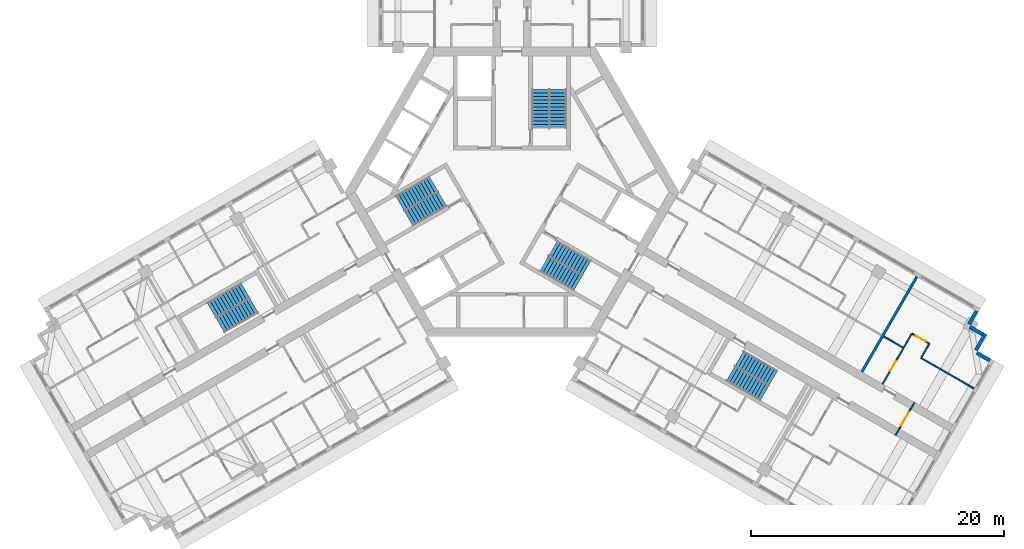
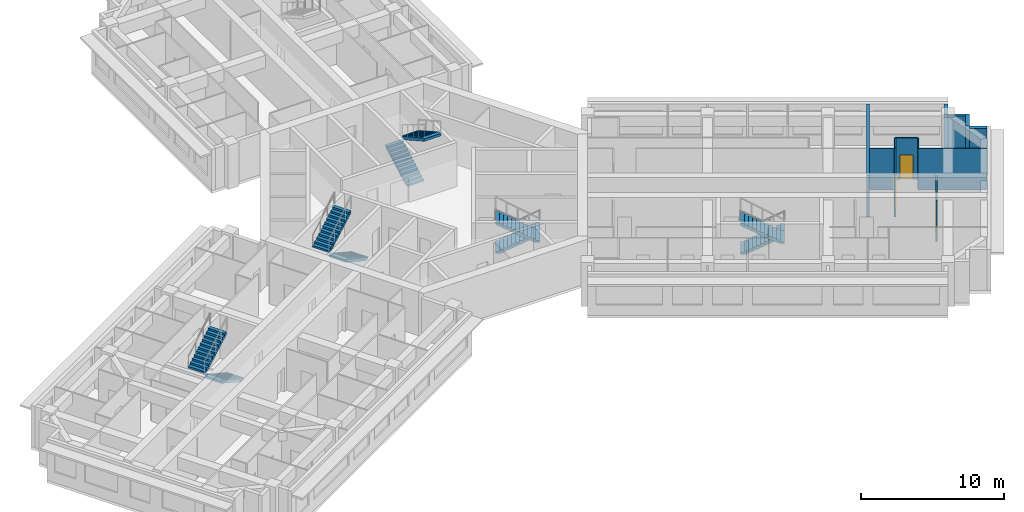
# One storey, part 10 of 12: 12 walls, 10 stair flights, 3 doors, 3 openings, 5 elements without a shape of their own.
"""IFC4 building model written with IfcOpenShell, lengths in metres."""

from ifc_helpers import new_model, si_unit, direction, frame, frame_2d, origin, place, context, subcontext, project, spatial, polyline, rectangle, outline, extrude, material, layer, layer_set, type_object, element, fill, aggregate, save


model = new_model("IFC4")

# Units and contexts
model_context = context("Model", 3, precision=1e-05, world=origin(), true_north=direction((0.0, 1.0)))
body_context = subcontext(model_context, "Body", "Model", "MODEL_VIEW")
ifc_project = project(units=[si_unit("LENGTHUNIT", "METRE"), si_unit("AREAUNIT", "SQUARE_METRE"), si_unit("VOLUMEUNIT", "CUBIC_METRE"), si_unit("PLANEANGLEUNIT", "RADIAN"), si_unit("MASSUNIT", "GRAM", prefix="KILO")], contexts=[model_context])

# Site, building, storey
site_placement = place(None, origin())
site = spatial("IfcSite", under=ifc_project, at=site_placement, CompositionType="ELEMENT")
building_placement = place(site_placement, origin())
building = spatial("IfcBuilding", under=site, at=building_placement, Name="Impinga Residences", CompositionType="ELEMENT")
storey_placement = place(building_placement, frame((0.0, 0.0, 214.75)))
storey = spatial("IfcBuildingStorey", under=building, at=storey_placement, Name="L53", CompositionType="ELEMENT", Elevation=214.75)

# Wall, opening, door
ifc_material_1 = material(Name="Concrete blockwork", Category="masonry")
ifc_layer_1 = layer(ifc_material_1, 0.10009765625)
ifc_layer_set_1 = layer_set([ifc_layer_1], Name="CP1 core room partition, blockwork 100")
wall_type_1 = type_object("IfcWallType", Name="CP1 core room partition, blockwork 100", PredefinedType="PARTITIONING", material=ifc_layer_set_1)
wall_1_placement = place(storey_placement, frame((31.781005859375, -16.61669921875, 0.0), z_axis=(0.0, 0.0, 1.0), x_axis=(-0.499990139034, -0.866031096941, 0.0)))
wall_1 = element("IfcWall", 1, at=wall_1_placement, inside=storey, type_object=wall_type_1, Name="Core room partition, blockwork L53:E:LNG", PredefinedType="PARTITIONING", context=body_context, shape_type="SweptSolid", body=[
    extrude(rectangle(XDim=3.0, YDim=0.10009765625, at=frame_2d((1.5, 0.0))), origin(), (0.0, 0.0, 1.0), 3.530029296875),
])
opening_1_placement = place(wall_1_placement, frame((0.89990234375, 0.0, 0.0)))
opening_1 = element("IfcOpeningElement", 2, at=opening_1_placement, cuts=wall_1, Name="Opening D3", PredefinedType="OPENING", context=body_context, shape_type="SweptSolid", body=[
    extrude(rectangle(XDim=1.199951171875, YDim=2.10009765625, at=frame_2d((0.60009765625, 1.050048828125))), frame((0.0, 0.06005859375, 0.0), z_axis=(0.0, -1.0, 0.0), x_axis=(1.0, 0.0, 0.0)), (0.0, 0.0, 1.0), 0.1201171875),
])
ifc_material_2 = material(Name="Timber door set", Category="wood")
door_type_1 = type_object("IfcDoorType", Name="D3 room door, leaf and a half 1200x2100", OperationType="DOUBLE_SWING_LEFT", PredefinedType="DOOR", material=ifc_material_2)
door_1_placement = place(opening_1_placement, origin())
door_1 = element("IfcDoor", 3, at=door_1_placement, inside=storey, type_object=door_type_1, Name="Residents' lounge door E", OperationType="DOUBLE_SWING_LEFT", OverallHeight=2.10009765625, OverallWidth=1.199951171875, PredefinedType="DOOR", context=body_context, shape_type="SweptSolid", body=[
    extrude(rectangle(XDim=1.199951171875, YDim=2.10009765625, at=frame_2d((0.60009765625, 1.050048828125))), frame((0.0, 0.02490234375, 0.0), z_axis=(0.0, -1.0, 0.0), x_axis=(1.0, 0.0, 0.0)), (0.0, 0.0, 1.0), 0.050048828125),
])
fill(opening_1, door_1)

# Walls
ifc_material_3 = material(Name="Terracotta rainscreen on blockwork", Category="masonry")
ifc_layer_2 = layer(ifc_material_3, 0.300048828125)
ifc_layer_set_2 = layer_set([ifc_layer_2], Name="EW1 external wall, terracotta rainscreen on blockwork 300")
wall_type_2 = type_object("IfcWallType", Name="EW1 external wall, terracotta rainscreen on blockwork 300", PredefinedType="SOLIDWALL", material=ifc_layer_set_2)
wall_2_placement = place(storey_placement, frame((36.69384765625, -9.4072265625, 0.0), z_axis=(0.0, 0.0, 1.0), x_axis=(-0.499880961361, -0.866094119867, 0.0)))
element("IfcWall", 4, at=wall_2_placement, inside=storey, type_object=wall_type_2, Name="External wall EW1 L53", PredefinedType="SOLIDWALL", context=body_context, shape_type="SweptSolid", body=[
    extrude(rectangle(XDim=1.199951171875, YDim=0.300048828125, at=frame_2d((0.60009765625, 0.0))), origin(), (0.0, 0.0, 1.0), 3.530029296875),
])
wall_3_placement = place(storey_placement, frame((36.153076171875, -10.654052734375, 0.0), z_axis=(0.0, 0.0, 1.0), x_axis=(0.866059708757, -0.499940577336, 0.0)))
element("IfcWall", 5, at=wall_3_placement, inside=storey, type_object=wall_type_2, Name="External wall EW1 L53", PredefinedType="SOLIDWALL", context=body_context, shape_type="SweptSolid", body=[
    extrude(rectangle(XDim=1.195068359375, YDim=0.300048828125, at=frame_2d((0.59765625, 0.0))), origin(), (0.0, 0.0, 1.0), 3.530029296875),
])
wall_4_placement = place(storey_placement, frame((37.39306640625, -11.196533203125, 0.0), z_axis=(0.0, 0.0, 1.0), x_axis=(-0.499990139034, -0.866031096941, 0.0)))
element("IfcWall", 6, at=wall_4_placement, inside=storey, type_object=wall_type_2, Name="External wall EW1 L53", PredefinedType="SOLIDWALL", context=body_context, shape_type="SweptSolid", body=[
    extrude(rectangle(XDim=1.5, YDim=0.300048828125, at=frame_2d((0.75, 0.0))), origin(), (0.0, 0.0, 1.0), 3.530029296875),
])
wall_5_placement = place(storey_placement, frame((36.7021484375, -12.702880859375, 0.0), z_axis=(0.0, 0.0, 1.0), x_axis=(0.865971243484, -0.500093796661, 0.0)))
element("IfcWall", 7, at=wall_5_placement, inside=storey, type_object=wall_type_2, Name="External wall EW1 L53", PredefinedType="SOLIDWALL", context=body_context, shape_type="SweptSolid", body=[
    extrude(rectangle(XDim=1.195068359375, YDim=0.300048828125, at=frame_2d((0.59765625, 0.0))), origin(), (0.0, 0.0, 1.0), 3.530029296875),
])
ifc_material_4 = material(Name="Gypsum board on steel studs", Category="steel")
ifc_layer_3 = layer(ifc_material_4, 0.10009765625)
ifc_layer_set_3 = layer_set([ifc_layer_3], Name="Gypsum board on steel studs")
wall_type_3 = type_object("IfcWallType", Name="IP1 partition 100", PredefinedType="PARTITIONING", material=ifc_layer_set_3)
wall_6_placement = place(storey_placement, frame((29.360595703125, -11.408935546875, 0.0), z_axis=(0.0, 0.0, 1.0), x_axis=(0.866047807691, -0.499961193289, 0.0)))
element("IfcWall", 8, at=wall_6_placement, inside=storey, type_object=wall_type_3, Name="Partition L53-EA2:DIV0", PredefinedType="PARTITIONING", context=body_context, shape_type="SweptSolid", body=[
    extrude(rectangle(XDim=1.800048828125, YDim=0.10009765625, at=frame_2d((0.89990234375, 0.0))), origin(), (0.0, 0.0, 1.0), 3.530029296875),
])
wall_7_placement = place(storey_placement, frame((32.30517578125, -13.10888671875, 0.0), z_axis=(0.0, 0.0, 1.0), x_axis=(0.866037363387, -0.499979284789, 0.0)))
element("IfcWall", 9, at=wall_7_placement, inside=storey, type_object=wall_type_3, Name="Partition L53-EA2:DIV1", PredefinedType="PARTITIONING", context=body_context, shape_type="SweptSolid", body=[
    extrude(rectangle(XDim=4.800048828125, YDim=0.10009765625, at=frame_2d((2.39990234375, 0.0))), origin(), (0.0, 0.0, 1.0), 3.530029296875),
])

# Wall, opening, door
wall_8_placement = place(storey_placement, frame((31.569580078125, -11.18310546875, 0.0), z_axis=(0.0, 0.0, 1.0), x_axis=(0.866055983265, -0.499947031044, 0.0)))
wall_8 = element("IfcWall", 10, at=wall_8_placement, inside=storey, type_object=wall_type_3, Name="Partition L53-EA2:STRIP", PredefinedType="PARTITIONING", context=body_context, shape_type="SweptSolid", body=[
    extrude(rectangle(XDim=1.599853515625, YDim=0.10009765625, at=frame_2d((0.7998046875, 0.0))), origin(), (0.0, 0.0, 1.0), 3.530029296875),
])
opening_2_placement = place(wall_8_placement, frame((0.35009765625, 0.0, 0.0)))
opening_2 = element("IfcOpeningElement", 11, at=opening_2_placement, cuts=wall_8, Name="Opening D2", PredefinedType="OPENING", context=body_context, shape_type="SweptSolid", body=[
    extrude(rectangle(XDim=0.89990234375, YDim=2.10009765625, at=frame_2d((0.449951171875, 1.050048828125))), frame((0.0, 0.06005859375, 0.0), z_axis=(0.0, -1.0, 0.0), x_axis=(1.0, 0.0, 0.0)), (0.0, 0.0, 1.0), 0.1201171875),
])
door_type_2 = type_object("IfcDoorType", Name="D2 internal door 900x2100", OperationType="SINGLE_SWING_LEFT", PredefinedType="DOOR", material=ifc_material_2)
door_2_placement = place(opening_2_placement, origin())
door_2 = element("IfcDoor", 12, at=door_2_placement, inside=storey, type_object=door_type_2, Name="Apartment L53-EA2 room door", OperationType="SINGLE_SWING_LEFT", OverallHeight=2.10009765625, OverallWidth=0.89990234375, PredefinedType="DOOR", context=body_context, shape_type="SweptSolid", body=[
    extrude(rectangle(XDim=0.89990234375, YDim=2.10009765625, at=frame_2d((0.449951171875, 1.050048828125))), frame((0.0, 0.02490234375, 0.0), z_axis=(0.0, -1.0, 0.0), x_axis=(1.0, 0.0, 0.0)), (0.0, 0.0, 1.0), 0.050048828125),
])
fill(opening_2, door_2)

# Walls
for number, where, z_axis, x_axis, name in (
    (13, (30.944580078125, -12.265625, 0.0), (0.0, 0.0, 1.0), (0.499880961361, 0.866094119867, 0.0), "Partition L53-EA2:SE0"),
    (14, (32.330078125, -13.0654296875, 0.0), (0.0, 0.0, 1.0), (0.50012165622, 0.865955154139, 0.0), "Partition L53-EA2:SE1"),
):
    element("IfcWall", number, at=place(storey_placement, frame(where, z_axis=z_axis, x_axis=x_axis)), inside=storey, type_object=wall_type_3, Name=name, PredefinedType="PARTITIONING", context=body_context, shape_type="SweptSolid", body=[
        extrude(rectangle(XDim=1.199951171875, YDim=0.10009765625, at=frame_2d((0.60009765625, 0.0))), origin(), (0.0, 0.0, 1.0), 3.530029296875),
    ])

# Wall, opening, door
wall_9_placement = place(storey_placement, frame((29.26953125, -15.166748046875, 0.0), z_axis=(0.0, 0.0, 1.0), x_axis=(0.499984717929, 0.866034226713, 0.0)))
wall_9 = element("IfcWall", 15, at=wall_9_placement, inside=storey, type_object=wall_type_3, Name="Partition L53-EA2:IB1", PredefinedType="PARTITIONING", context=body_context, shape_type="SweptSolid", body=[
    extrude(rectangle(XDim=3.25, YDim=0.10009765625, at=frame_2d((1.625, 0.0))), origin(), (0.0, 0.0, 1.0), 3.530029296875),
])
opening_3_placement = place(wall_9_placement, frame((1.175048828125, 0.0, 0.0)))
opening_3 = element("IfcOpeningElement", 16, at=opening_3_placement, cuts=wall_9, Name="Opening D2", PredefinedType="OPENING", context=body_context, shape_type="SweptSolid", body=[
    extrude(rectangle(XDim=0.89990234375, YDim=2.10009765625, at=frame_2d((0.449951171875, 1.050048828125))), frame((0.0, 0.06005859375, 0.0), z_axis=(0.0, -1.0, 0.0), x_axis=(1.0, 0.0, 0.0)), (0.0, 0.0, 1.0), 0.1201171875),
])
door_3_placement = place(opening_3_placement, origin())
door_3 = element("IfcDoor", 17, at=door_3_placement, inside=storey, type_object=door_type_2, Name="Apartment L53-EA2 bathroom door", OperationType="SINGLE_SWING_LEFT", OverallHeight=2.10009765625, OverallWidth=0.89990234375, PredefinedType="DOOR", context=body_context, shape_type="SweptSolid", body=[
    extrude(rectangle(XDim=0.89990234375, YDim=2.10009765625, at=frame_2d((0.449951171875, 1.050048828125))), frame((0.0, 0.02490234375, 0.0), z_axis=(0.0, -1.0, 0.0), x_axis=(1.0, 0.0, 0.0)), (0.0, 0.0, 1.0), 0.050048828125),
])
fill(opening_3, door_3)

# Wall
ifc_layer_4 = layer(ifc_material_1, 0.199951171875)
ifc_layer_set_4 = layer_set([ifc_layer_4], Name="PW1 party wall between apartments 200")
wall_type_4 = type_object("IfcWallType", Name="PW1 party wall between apartments 200", PredefinedType="SOLIDWALL", material=ifc_layer_set_4)
wall_10_placement = place(storey_placement, frame((27.6240234375, -14.216796875, 0.0), z_axis=(0.0, 0.0, 1.0), x_axis=(0.500008278454, 0.866020624164, 0.0)))
element("IfcWall", 18, at=wall_10_placement, inside=storey, type_object=wall_type_4, Name="Party wall between apartments L53-EA1:PARTY", PredefinedType="SOLIDWALL", context=body_context, shape_type="SweptSolid", body=[
    extrude(rectangle(XDim=8.699951171875, YDim=0.199951171875, at=frame_2d((4.35009765625, 0.0))), origin(), (0.0, 0.0, 1.0), 3.530029296875),
])

# Stair, stair flights
ifc_material_5 = material(Name="Concrete C40/50", Category="concrete")
stair_type_1 = type_object("IfcStairType", Name="STR core stair 3750 storey, 24 risers", PredefinedType="HALF_TURN_STAIR", material=ifc_material_5)
stair_1_placement = place(storey_placement, origin())
stair_1 = element("IfcStair", 19, at=stair_1_placement, inside=storey, type_object=stair_type_1, Name="Stair ST1 L53", PredefinedType="HALF_TURN_STAIR")
stair_flight_type = type_object("IfcStairFlightType", Name="SF 12 risers of 156", PredefinedType="STRAIGHT", material=ifc_material_5)
stair_flight_1_placement = place(storey_placement, frame((2.27490234375, 5.030029296875, 0.0), z_axis=(0.0, 0.0, 1.0), x_axis=(0.0, 1.0, 0.0)))
stair_flight_1 = element("IfcStairFlight", 20, at=stair_flight_1_placement, type_object=stair_flight_type, Name="ST1 flight 1", NumberOfRisers=12, NumberOfTreads=11, PredefinedType="STRAIGHT", RiserHeight=0.15625, TreadLength=0.28, context=body_context, shape_type="SweptSolid", body=[
    extrude(outline(polyline([(0.0, 0.0), (0.0, 0.15625), (0.280029296875, 0.15625), (0.280029296875, 0.3125), (0.56005859375, 0.3125), (0.56005859375, 0.46875), (0.840087890625, 0.46875), (0.840087890625, 0.625), (1.1201171875, 0.625), (1.1201171875, 0.78125), (1.39990234375, 0.78125), (1.39990234375, 0.9375), (1.679931640625, 0.9375), (1.679931640625, 1.09375), (1.9599609375, 1.09375), (1.9599609375, 1.25), (2.239990234375, 1.25), (2.239990234375, 1.40625), (2.52001953125, 1.40625), (2.52001953125, 1.5625), (2.800048828125, 1.5625), (2.800048828125, 1.71875), (3.080078125, 1.71875), (3.080078125, 1.875), (3.080078125, 1.5126953125), (0.369140625, 0.0), (0.0, 0.0)])), frame((0.0, 0.675048828125, 0.0), z_axis=(0.0, -1.0, 0.0), x_axis=(1.0, 0.0, 0.0)), (0.0, 0.0, 1.0), 1.35009765625),
])
stair_flight_2_placement = place(storey_placement, frame((3.625, 8.110107421875, 1.875), z_axis=(0.0, 0.0, 1.0), x_axis=(0.0, -1.0, 0.0)))
stair_flight_2 = element("IfcStairFlight", 21, at=stair_flight_2_placement, type_object=stair_flight_type, Name="ST1 flight 2", NumberOfRisers=12, NumberOfTreads=11, PredefinedType="STRAIGHT", RiserHeight=0.15625, TreadLength=0.28, context=body_context, shape_type="SweptSolid", body=[
    extrude(outline(polyline([(0.0, 0.0), (0.0, 0.15625), (0.280029296875, 0.15625), (0.280029296875, 0.3125), (0.56005859375, 0.3125), (0.56005859375, 0.46875), (0.840087890625, 0.46875), (0.840087890625, 0.625), (1.1201171875, 0.625), (1.1201171875, 0.78125), (1.39990234375, 0.78125), (1.39990234375, 0.9375), (1.679931640625, 0.9375), (1.679931640625, 1.09375), (1.9599609375, 1.09375), (1.9599609375, 1.25), (2.239990234375, 1.25), (2.239990234375, 1.40625), (2.52001953125, 1.40625), (2.52001953125, 1.5625), (2.800048828125, 1.5625), (2.800048828125, 1.71875), (3.080078125, 1.71875), (3.080078125, 1.875), (3.080078125, 1.5126953125), (0.369140625, 0.0), (0.0, 0.0)])), frame((0.0, 0.675048828125, 0.0), z_axis=(0.0, -1.0, 0.0), x_axis=(1.0, 0.0, 0.0)), (0.0, 0.0, 1.0), 1.35009765625),
])
aggregate(stair_1, [stair_flight_1, stair_flight_2])

stair_2_placement = place(storey_placement, origin())
stair_2 = element("IfcStair", 22, at=stair_2_placement, inside=storey, type_object=stair_type_1, Name="Stair ST2 L53", PredefinedType="HALF_TURN_STAIR")
stair_flight_3_placement = place(storey_placement, frame((-5.49365234375, -0.544677734375, 0.0), z_axis=(0.0, 0.0, 1.0), x_axis=(-0.866025403784, -0.5, 0.0)))
stair_flight_3 = element("IfcStairFlight", 23, at=stair_flight_3_placement, type_object=stair_flight_type, Name="ST2 flight 1", NumberOfRisers=12, NumberOfTreads=11, PredefinedType="STRAIGHT", RiserHeight=0.15625, TreadLength=0.28, context=body_context, shape_type="SweptSolid", body=[
    extrude(outline(polyline([(0.0, 0.0), (0.0, 0.15625), (0.280029296875, 0.15625), (0.280029296875, 0.3125), (0.56005859375, 0.3125), (0.56005859375, 0.46875), (0.840087890625, 0.46875), (0.840087890625, 0.625), (1.1201171875, 0.625), (1.1201171875, 0.78125), (1.39990234375, 0.78125), (1.39990234375, 0.9375), (1.679931640625, 0.9375), (1.679931640625, 1.09375), (1.9599609375, 1.09375), (1.9599609375, 1.25), (2.239990234375, 1.25), (2.239990234375, 1.40625), (2.52001953125, 1.40625), (2.52001953125, 1.5625), (2.800048828125, 1.5625), (2.800048828125, 1.71875), (3.080078125, 1.71875), (3.080078125, 1.875), (3.080078125, 1.5126953125), (0.369140625, 0.0), (0.0, 0.0)])), frame((0.0, 0.675048828125, 0.0), z_axis=(0.0, -1.0, 0.0), x_axis=(1.0, 0.0, 0.0)), (0.0, 0.0, 1.0), 1.35009765625),
])
stair_flight_4_placement = place(storey_placement, frame((-8.8359375, -0.915771484375, 1.875), z_axis=(0.0, 0.0, 1.0), x_axis=(0.866025403784, 0.5, 0.0)))
stair_flight_4 = element("IfcStairFlight", 24, at=stair_flight_4_placement, type_object=stair_flight_type, Name="ST2 flight 2", NumberOfRisers=12, NumberOfTreads=11, PredefinedType="STRAIGHT", RiserHeight=0.15625, TreadLength=0.28, context=body_context, shape_type="SweptSolid", body=[
    extrude(outline(polyline([(0.0, 0.0), (0.0, 0.15625), (0.280029296875, 0.15625), (0.280029296875, 0.3125), (0.56005859375, 0.3125), (0.56005859375, 0.46875), (0.840087890625, 0.46875), (0.840087890625, 0.625), (1.1201171875, 0.625), (1.1201171875, 0.78125), (1.39990234375, 0.78125), (1.39990234375, 0.9375), (1.679931640625, 0.9375), (1.679931640625, 1.09375), (1.9599609375, 1.09375), (1.9599609375, 1.25), (2.239990234375, 1.25), (2.239990234375, 1.40625), (2.52001953125, 1.40625), (2.52001953125, 1.5625), (2.800048828125, 1.5625), (2.800048828125, 1.71875), (3.080078125, 1.71875), (3.080078125, 1.875), (3.080078125, 1.5126953125), (0.369140625, 0.0), (0.0, 0.0)])), frame((0.0, 0.675048828125, 0.0), z_axis=(0.0, -1.0, 0.0), x_axis=(1.0, 0.0, 0.0)), (0.0, 0.0, 1.0), 1.35009765625),
])
aggregate(stair_2, [stair_flight_3, stair_flight_4])

stair_3_placement = place(storey_placement, origin())
stair_3 = element("IfcStair", 25, at=stair_3_placement, inside=storey, type_object=stair_type_1, Name="Stair ST3 L53", PredefinedType="HALF_TURN_STAIR")
stair_flight_5_placement = place(storey_placement, frame((3.218505859375, -4.485107421875, 0.0), z_axis=(0.0, 0.0, 1.0), x_axis=(0.866025403784, -0.5, 0.0)))
stair_flight_5 = element("IfcStairFlight", 26, at=stair_flight_5_placement, type_object=stair_flight_type, Name="ST3 flight 1", NumberOfRisers=12, NumberOfTreads=11, PredefinedType="STRAIGHT", RiserHeight=0.15625, TreadLength=0.28, context=body_context, shape_type="SweptSolid", body=[
    extrude(outline(polyline([(0.0, 0.0), (0.0, 0.15625), (0.280029296875, 0.15625), (0.280029296875, 0.3125), (0.56005859375, 0.3125), (0.56005859375, 0.46875), (0.840087890625, 0.46875), (0.840087890625, 0.625), (1.1201171875, 0.625), (1.1201171875, 0.78125), (1.39990234375, 0.78125), (1.39990234375, 0.9375), (1.679931640625, 0.9375), (1.679931640625, 1.09375), (1.9599609375, 1.09375), (1.9599609375, 1.25), (2.239990234375, 1.25), (2.239990234375, 1.40625), (2.52001953125, 1.40625), (2.52001953125, 1.5625), (2.800048828125, 1.5625), (2.800048828125, 1.71875), (3.080078125, 1.71875), (3.080078125, 1.875), (3.080078125, 1.5126953125), (0.369140625, 0.0), (0.0, 0.0)])), frame((0.0, 0.675048828125, 0.0), z_axis=(0.0, -1.0, 0.0), x_axis=(1.0, 0.0, 0.0)), (0.0, 0.0, 1.0), 1.35009765625),
])
stair_flight_6_placement = place(storey_placement, frame((5.2109375, -7.1943359375, 1.875), z_axis=(0.0, 0.0, 1.0), x_axis=(-0.866025403784, 0.5, 0.0)))
stair_flight_6 = element("IfcStairFlight", 27, at=stair_flight_6_placement, type_object=stair_flight_type, Name="ST3 flight 2", NumberOfRisers=12, NumberOfTreads=11, PredefinedType="STRAIGHT", RiserHeight=0.15625, TreadLength=0.28, context=body_context, shape_type="SweptSolid", body=[
    extrude(outline(polyline([(0.0, 0.0), (0.0, 0.15625), (0.280029296875, 0.15625), (0.280029296875, 0.3125), (0.56005859375, 0.3125), (0.56005859375, 0.46875), (0.840087890625, 0.46875), (0.840087890625, 0.625), (1.1201171875, 0.625), (1.1201171875, 0.78125), (1.39990234375, 0.78125), (1.39990234375, 0.9375), (1.679931640625, 0.9375), (1.679931640625, 1.09375), (1.9599609375, 1.09375), (1.9599609375, 1.25), (2.239990234375, 1.25), (2.239990234375, 1.40625), (2.52001953125, 1.40625), (2.52001953125, 1.5625), (2.800048828125, 1.5625), (2.800048828125, 1.71875), (3.080078125, 1.71875), (3.080078125, 1.875), (3.080078125, 1.5126953125), (0.369140625, 0.0), (0.0, 0.0)])), frame((0.0, 0.675048828125, 0.0), z_axis=(0.0, -1.0, 0.0), x_axis=(1.0, 0.0, 0.0)), (0.0, 0.0, 1.0), 1.35009765625),
])
aggregate(stair_3, [stair_flight_5, stair_flight_6])

stair_type_2 = type_object("IfcStairType", Name="STR wing stair 3750 storey, 24 risers", PredefinedType="HALF_TURN_STAIR", material=ifc_material_5)
stair_4_placement = place(storey_placement, origin())
stair_4 = element("IfcStair", 28, at=stair_4_placement, inside=storey, type_object=stair_type_2, Name="Stair WS2 L53", PredefinedType="HALF_TURN_STAIR")
stair_flight_7_placement = place(storey_placement, frame((-20.37890625, -8.965576171875, 0.0), z_axis=(0.0, 0.0, 1.0), x_axis=(-0.866025403784, -0.5, 0.0)))
stair_flight_7 = element("IfcStairFlight", 29, at=stair_flight_7_placement, type_object=stair_flight_type, Name="WS2 flight 1", NumberOfRisers=12, NumberOfTreads=11, PredefinedType="STRAIGHT", RiserHeight=0.15625, TreadLength=0.28, context=body_context, shape_type="SweptSolid", body=[
    extrude(outline(polyline([(0.0, 0.0), (0.0, 0.15625), (0.280029296875, 0.15625), (0.280029296875, 0.3125), (0.56005859375, 0.3125), (0.56005859375, 0.46875), (0.840087890625, 0.46875), (0.840087890625, 0.625), (1.1201171875, 0.625), (1.1201171875, 0.78125), (1.39990234375, 0.78125), (1.39990234375, 0.9375), (1.679931640625, 0.9375), (1.679931640625, 1.09375), (1.9599609375, 1.09375), (1.9599609375, 1.25), (2.239990234375, 1.25), (2.239990234375, 1.40625), (2.52001953125, 1.40625), (2.52001953125, 1.5625), (2.800048828125, 1.5625), (2.800048828125, 1.71875), (3.080078125, 1.71875), (3.080078125, 1.875), (3.080078125, 1.5126953125), (0.369140625, 0.0), (0.0, 0.0)])), frame((0.0, 0.675048828125, 0.0), z_axis=(0.0, -1.0, 0.0), x_axis=(1.0, 0.0, 0.0)), (0.0, 0.0, 1.0), 1.35009765625),
])
stair_flight_8_placement = place(storey_placement, frame((-23.721435546875, -9.33642578125, 1.875), z_axis=(0.0, 0.0, 1.0), x_axis=(0.866025403784, 0.5, 0.0)))
stair_flight_8 = element("IfcStairFlight", 30, at=stair_flight_8_placement, type_object=stair_flight_type, Name="WS2 flight 2", NumberOfRisers=12, NumberOfTreads=11, PredefinedType="STRAIGHT", RiserHeight=0.15625, TreadLength=0.28, context=body_context, shape_type="SweptSolid", body=[
    extrude(outline(polyline([(0.0, 0.0), (0.0, 0.15625), (0.280029296875, 0.15625), (0.280029296875, 0.3125), (0.56005859375, 0.3125), (0.56005859375, 0.46875), (0.840087890625, 0.46875), (0.840087890625, 0.625), (1.1201171875, 0.625), (1.1201171875, 0.78125), (1.39990234375, 0.78125), (1.39990234375, 0.9375), (1.679931640625, 0.9375), (1.679931640625, 1.09375), (1.9599609375, 1.09375), (1.9599609375, 1.25), (2.239990234375, 1.25), (2.239990234375, 1.40625), (2.52001953125, 1.40625), (2.52001953125, 1.5625), (2.800048828125, 1.5625), (2.800048828125, 1.71875), (3.080078125, 1.71875), (3.080078125, 1.875), (3.080078125, 1.5126953125), (0.369140625, 0.0), (0.0, 0.0)])), frame((0.0, 0.675048828125, 0.0), z_axis=(0.0, -1.0, 0.0), x_axis=(1.0, 0.0, 0.0)), (0.0, 0.0, 1.0), 1.35009765625),
])
aggregate(stair_4, [stair_flight_7, stair_flight_8])

stair_5_placement = place(storey_placement, origin())
stair_5 = element("IfcStair", 31, at=stair_5_placement, inside=storey, type_object=stair_type_2, Name="Stair WS3 L53", PredefinedType="HALF_TURN_STAIR")
stair_flight_9_placement = place(storey_placement, frame((17.953857421875, -13.165771484375, 0.0), z_axis=(0.0, 0.0, 1.0), x_axis=(0.866025403784, -0.5, 0.0)))
stair_flight_9 = element("IfcStairFlight", 32, at=stair_flight_9_placement, type_object=stair_flight_type, Name="WS3 flight 1", NumberOfRisers=12, NumberOfTreads=11, PredefinedType="STRAIGHT", RiserHeight=0.15625, TreadLength=0.28, context=body_context, shape_type="SweptSolid", body=[
    extrude(outline(polyline([(0.0, 0.0), (0.0, 0.15625), (0.280029296875, 0.15625), (0.280029296875, 0.3125), (0.56005859375, 0.3125), (0.56005859375, 0.46875), (0.840087890625, 0.46875), (0.840087890625, 0.625), (1.1201171875, 0.625), (1.1201171875, 0.78125), (1.39990234375, 0.78125), (1.39990234375, 0.9375), (1.679931640625, 0.9375), (1.679931640625, 1.09375), (1.9599609375, 1.09375), (1.9599609375, 1.25), (2.239990234375, 1.25), (2.239990234375, 1.40625), (2.52001953125, 1.40625), (2.52001953125, 1.5625), (2.800048828125, 1.5625), (2.800048828125, 1.71875), (3.080078125, 1.71875), (3.080078125, 1.875), (3.080078125, 1.5126953125), (0.369140625, 0.0), (0.0, 0.0)])), frame((0.0, 0.675048828125, 0.0), z_axis=(0.0, -1.0, 0.0), x_axis=(1.0, 0.0, 0.0)), (0.0, 0.0, 1.0), 1.35009765625),
])
stair_flight_10_placement = place(storey_placement, frame((19.9462890625, -15.875, 1.875), z_axis=(0.0, 0.0, 1.0), x_axis=(-0.866025403784, 0.5, 0.0)))
stair_flight_10 = element("IfcStairFlight", 33, at=stair_flight_10_placement, type_object=stair_flight_type, Name="WS3 flight 2", NumberOfRisers=12, NumberOfTreads=11, PredefinedType="STRAIGHT", RiserHeight=0.15625, TreadLength=0.28, context=body_context, shape_type="SweptSolid", body=[
    extrude(outline(polyline([(0.0, 0.0), (0.0, 0.15625), (0.280029296875, 0.15625), (0.280029296875, 0.3125), (0.56005859375, 0.3125), (0.56005859375, 0.46875), (0.840087890625, 0.46875), (0.840087890625, 0.625), (1.1201171875, 0.625), (1.1201171875, 0.78125), (1.39990234375, 0.78125), (1.39990234375, 0.9375), (1.679931640625, 0.9375), (1.679931640625, 1.09375), (1.9599609375, 1.09375), (1.9599609375, 1.25), (2.239990234375, 1.25), (2.239990234375, 1.40625), (2.52001953125, 1.40625), (2.52001953125, 1.5625), (2.800048828125, 1.5625), (2.800048828125, 1.71875), (3.080078125, 1.71875), (3.080078125, 1.875), (3.080078125, 1.5126953125), (0.369140625, 0.0), (0.0, 0.0)])), frame((0.0, 0.675048828125, 0.0), z_axis=(0.0, -1.0, 0.0), x_axis=(1.0, 0.0, 0.0)), (0.0, 0.0, 1.0), 1.35009765625),
])
aggregate(stair_5, [stair_flight_9, stair_flight_10])

save(model, "model.ifc")
